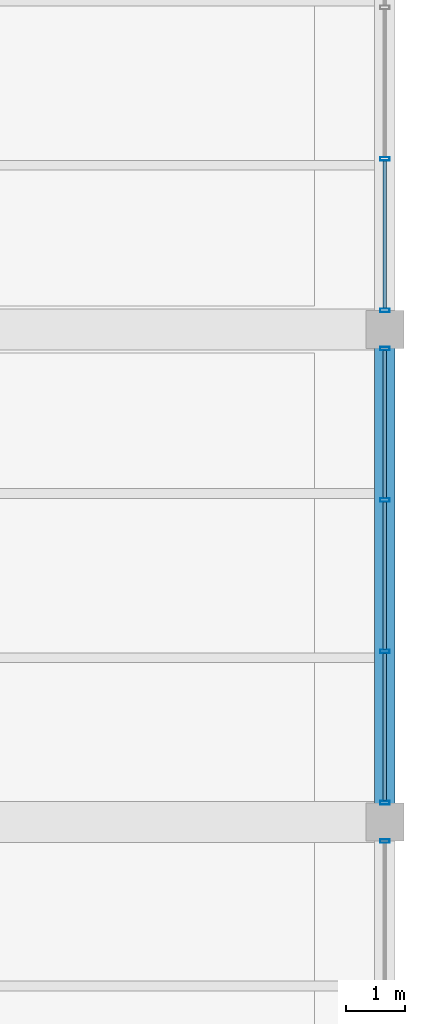
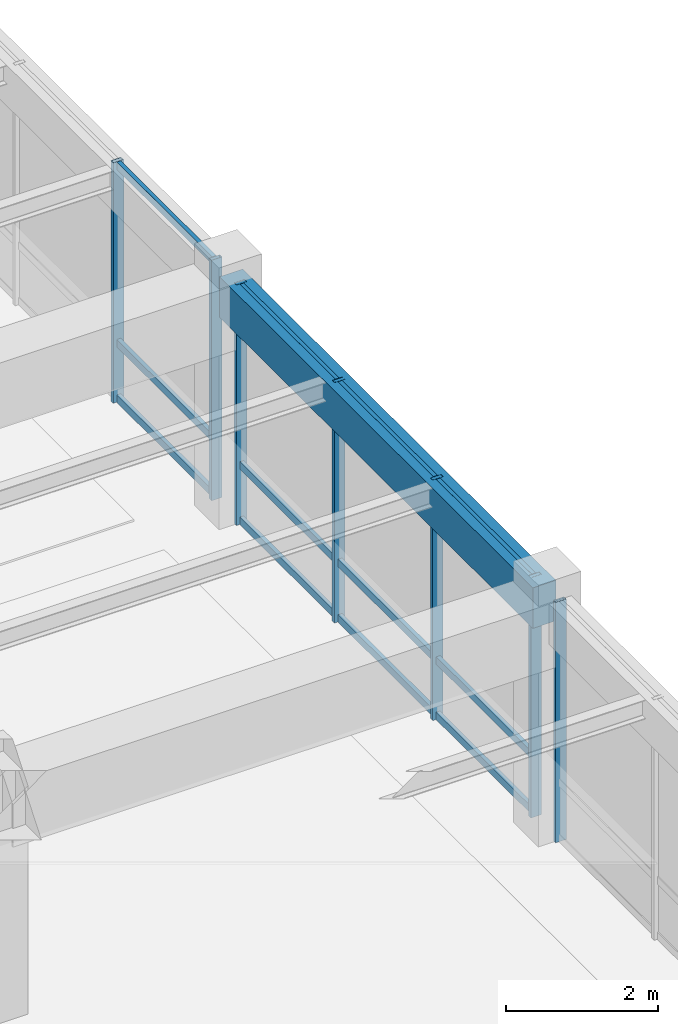
# One storey, part 96 of 138: 19 members, 1 beam, 3 elements without a shape of their own.
"""IFC4 building model written with IfcOpenShell, lengths in metres."""

import ifcopenshell
import ifcopenshell.guid

model = None  # the IFC model being written
_history = None  # IfcOwnerHistory: only IFC2X3 demands one
_inside = {}  # id of a spatial element -> (the spatial element, [elements in it])
_under = {}  # id of a project, library or spatial element -> (it, [spatial elements below it])
_declared = {}  # id of a project -> (the project, [libraries it declares])
_typed = {}  # id of a type object -> (the type object, [elements of that type])
_made_of = {}  # id of a material, layer set ... -> (it, [elements and type objects made of it])


def new_model(schema):
    """Start an empty IFC model of exactly this schema.

    Asked for "IFC4X3", IfcOpenShell would pick the latest addendum, in which some entities
    have other attributes; the version numbers below select the first issue.
    IFC2X3 requires an IfcOwnerHistory on every rooted entity: one is made here for all.
    """
    global model, _history
    if schema == "IFC4X3":
        model = ifcopenshell.file(schema_version=(4, 3, 0, 0))
    else:
        model = ifcopenshell.file(schema=schema)
    _inside.clear()
    _under.clear()
    _declared.clear()
    _typed.clear()
    _made_of.clear()
    _history = None
    if model.schema == "IFC2X3":
        org = make("IfcOrganization", Name="unknown")
        user = make(
            "IfcPersonAndOrganization",
            ThePerson=make("IfcPerson", FamilyName="unknown"),
            TheOrganization=org,
        )
        app = make(
            "IfcApplication",
            ApplicationDeveloper=org,
            Version="unknown",
            ApplicationFullName="unknown",
            ApplicationIdentifier="unknown",
        )
        _history = make(
            "IfcOwnerHistory",
            OwningUser=user,
            OwningApplication=app,
            ChangeAction="ADDED",
            CreationDate=0,
        )
    return model


def make(cls, **values):
    """One entity of the class cls with the attributes given. An attribute that is None is left unset."""
    return model.create_entity(
        cls, **{name: value for name, value in values.items() if value is not None}
    )


def rooted(cls, **values):
    """An entity with a GlobalId (a new one), such as an element, a storey or a relation."""
    return make(cls, GlobalId=ifcopenshell.guid.new(), OwnerHistory=_history, **values)


def si_unit(unit_type, name, prefix=None):
    """IfcSIUnit, for example si_unit("LENGTHUNIT", "METRE", prefix="MILLI")."""
    return make("IfcSIUnit", UnitType=unit_type, Prefix=prefix, Name=name)


def assignment(units):
    """IfcUnitAssignment: the units of a project."""
    return None if units is None else make("IfcUnitAssignment", Units=units)


def point(xyz):
    """IfcCartesianPoint."""
    return None if xyz is None else make("IfcCartesianPoint", Coordinates=xyz)


def direction(xyz):
    """IfcDirection."""
    return None if xyz is None else make("IfcDirection", DirectionRatios=xyz)


def frame(location, z_axis=None, x_axis=None):
    """IfcAxis2Placement3D, a coordinate frame: its origin and axes. An axis left out is left unset."""
    return make(
        "IfcAxis2Placement3D",
        Location=point(location),
        Axis=direction(z_axis),
        RefDirection=direction(x_axis),
    )


def frame_2d(location, x_axis=None):
    """IfcAxis2Placement2D, a coordinate frame in the plane: its origin and x axis."""
    return make(
        "IfcAxis2Placement2D", Location=point(location), RefDirection=direction(x_axis)
    )


def origin():
    """The frame at (0, 0, 0) with its axes left unset."""
    return frame((0.0, 0.0, 0.0))


def origin_2d():
    """The frame at (0, 0) in the plane with its x axis left unset."""
    return frame_2d((0.0, 0.0))


def place(relative_to, where):
    """IfcLocalPlacement: puts the frame where relative to a parent placement (None: the world)."""
    return make(
        "IfcLocalPlacement", PlacementRelTo=relative_to, RelativePlacement=where
    )


def context(
    kind, dimensions, precision=None, world=None, true_north=None, identifier=None
):
    """IfcGeometricRepresentationContext, for example the 3D "Model" context."""
    return make(
        "IfcGeometricRepresentationContext",
        ContextIdentifier=identifier,
        ContextType=kind,
        CoordinateSpaceDimension=dimensions,
        Precision=precision,
        WorldCoordinateSystem=world,
        TrueNorth=true_north,
    )


def subcontext(parent, identifier, kind, view, scale=None):
    """IfcGeometricRepresentationSubContext, for example "Body" below "Model"."""
    return make(
        "IfcGeometricRepresentationSubContext",
        ContextIdentifier=identifier,
        ContextType=kind,
        ParentContext=parent,
        TargetScale=scale,
        TargetView=view,
    )


def project(units=None, contexts=None):
    """IfcProject with its units and contexts."""
    return rooted(
        "IfcProject",
        Name="project",
        RepresentationContexts=contexts,
        UnitsInContext=assignment(units),
    )


def spatial(cls, under=None, at=None, **own):
    """A site, building, storey or space (cls), placed at a placement, below another one or the project."""
    s = rooted(cls, ObjectPlacement=at, **own)
    if under is not None:
        _under.setdefault(under.id(), (under, []))[1].append(s)
    return s


def profile(cls, at=None, kind="AREA", **sizes):
    """A parametric profile (cls). Its sizes go by their IFC names, for example OverallWidth=200.0."""
    return make(cls, ProfileType=kind, Position=at, **sizes)


def rectangle(**sizes):
    """IfcRectangleProfileDef."""
    return profile("IfcRectangleProfileDef", **sizes)


def hollow_rectangle(**sizes):
    """IfcRectangleHollowProfileDef."""
    return profile("IfcRectangleHollowProfileDef", **sizes)


def extrude(swept, where, along, depth):
    """IfcExtrudedAreaSolid: the profile swept, set in the frame where, extruded along a direction by depth."""
    return make(
        "IfcExtrudedAreaSolid",
        SweptArea=swept,
        Position=where,
        ExtrudedDirection=direction(along),
        Depth=depth,
    )


def shape(context_of_items, identifier, shape_type, items):
    """IfcShapeRepresentation: the items that make up one representation, for example the "Body"."""
    return make(
        "IfcShapeRepresentation",
        ContextOfItems=context_of_items,
        RepresentationIdentifier=identifier,
        RepresentationType=shape_type,
        Items=items,
    )


def material(Name=None, Category=None):
    """IfcMaterial."""
    return make("IfcMaterial", Name=Name, Category=Category)


def material_profile(
    of_material, cross_section, Name=None, Category=None, Priority=None
):
    """IfcMaterialProfile: a cross section and its material."""
    return make(
        "IfcMaterialProfile",
        Name=Name,
        Material=of_material,
        Profile=cross_section,
        Priority=Priority,
        Category=Category,
    )


def profile_set(profiles, Name=None, composite=None):
    """IfcMaterialProfileSet."""
    return make(
        "IfcMaterialProfileSet",
        Name=Name,
        MaterialProfiles=profiles,
        CompositeProfile=composite,
    )


def made_of(thing, what):
    """Note that an element or type object is made of a material, layer set ...; save() writes the relation."""
    if what is not None:
        _made_of.setdefault(what.id(), (what, []))[1].append(thing)
    return thing


def type_object(cls, material=None, **own):
    """A type object (cls), such as IfcWallType, which elements share."""
    return made_of(rooted(cls, **own), material)


def element(
    cls,
    number,
    at=None,
    inside=None,
    cuts=None,
    type_object=None,
    material=None,
    context=None,
    identifier="Body",
    shape_type=None,
    held_by="IfcProductDefinitionShape",
    body=None,
    shapes=None,
    **own,
):
    """One element of the class cls, such as IfcWall. Its Tag is "e" and its number.

    at: its placement. inside: the storey or other place that contains it. cuts: it is an
    opening in that element (IfcRelVoidsElement). A single representation is given by context,
    identifier, shape_type and body (its items); several are given by shapes. held_by: the class
    of the entity that holds the representations. save() writes the other relations.
    """
    e = rooted(cls, Tag="e%d" % number, ObjectPlacement=at, **own)
    if body is not None:
        shapes = [shape(context, identifier, shape_type, body)]
    if shapes is not None:
        e.Representation = make(held_by, Representations=shapes)
    if inside is not None:
        _inside.setdefault(inside.id(), (inside, []))[1].append(e)
    if cuts is not None:
        rooted(
            "IfcRelVoidsElement", RelatingBuildingElement=cuts, RelatedOpeningElement=e
        )
    if type_object is not None:
        _typed.setdefault(type_object.id(), (type_object, []))[1].append(e)
    return made_of(e, material)


def aggregate(whole, parts):
    """IfcRelAggregates: a whole, such as a stair, and the parts it consists of."""
    return rooted("IfcRelAggregates", RelatingObject=whole, RelatedObjects=parts)


def save(model, path):
    """Write the relations noted so far, then the file.

    IfcRelAggregates (storeys below a building ...), IfcRelContainedInSpatialStructure (elements
    in a storey), IfcRelDefinesByType, IfcRelAssociatesMaterial and IfcRelDeclares: one each for
    every whole, place, type object, material and project.
    """
    for whole, parts in _under.values():
        aggregate(whole, parts)
    for where, things in _inside.values():
        rooted(
            "IfcRelContainedInSpatialStructure",
            RelatedElements=things,
            RelatingStructure=where,
        )
    for kind, things in _typed.values():
        rooted("IfcRelDefinesByType", RelatedObjects=things, RelatingType=kind)
    for what, things in _made_of.values():
        rooted("IfcRelAssociatesMaterial", RelatedObjects=things, RelatingMaterial=what)
    for by, libraries in _declared.values():
        rooted("IfcRelDeclares", RelatingContext=by, RelatedDefinitions=libraries)
    model.write(path)


model = new_model("IFC4")

# Units and contexts
model_context = context("Model", 3, precision=1e-05, world=origin(), true_north=direction((0.0, 1.0)))
body_context = subcontext(model_context, "Body", "Model", "MODEL_VIEW")
ifc_project = project(units=[si_unit("LENGTHUNIT", "METRE"), si_unit("AREAUNIT", "SQUARE_METRE"), si_unit("VOLUMEUNIT", "CUBIC_METRE"), si_unit("PLANEANGLEUNIT", "RADIAN"), si_unit("MASSUNIT", "GRAM", prefix="KILO"), si_unit("THERMODYNAMICTEMPERATUREUNIT", "KELVIN"), si_unit("POWERUNIT", "WATT")], contexts=[model_context])

# Site, building, storey
site_placement = place(None, origin())
site = spatial("IfcSite", under=ifc_project, at=site_placement, CompositionType="ELEMENT")
building_placement = place(site_placement, origin())
building = spatial("IfcBuilding", under=site, at=building_placement, Name="Darbajah Civic Hall", CompositionType="ELEMENT")
storey_placement = place(building_placement, frame((0.0, 0.0, 9.60009765625)))
storey = spatial("IfcBuildingStorey", under=building, at=storey_placement, Name="L02", CompositionType="ELEMENT", Elevation=9.60009765625)

# Curtain wall, member
ifc_material_1 = material(Name="Anodised Bronze Aluminium and Low-E Glazing", Category="aluminium")
curtain_wall_type = type_object("IfcCurtainWallType", Name="Unitised Curtain Wall CW-97 7700x3850", PredefinedType="USERDEFINED", material=ifc_material_1)
curtain_wall_1_placement = place(storey_placement, origin())
curtain_wall_1 = element("IfcCurtainWall", 1, at=curtain_wall_1_placement, inside=storey, type_object=curtain_wall_type, Name="L02 unitised curtain wall CW-V4-L02-S1-B2", ObjectType="UNITISED CURTAIN WALL", PredefinedType="USERDEFINED")
ifc_material_2 = material(Name="Anodised Bronze Aluminium", Category="aluminium")
ifc_material_profile_1 = material_profile(ifc_material_2, hollow_rectangle(XDim=0.06005859375, YDim=0.159912109375, WallThickness=0.00341796875, at=origin_2d()), Name="ALU MULLION 60x160")
ifc_profile_set_1 = profile_set([ifc_material_profile_1], Name="Anodised Bronze Aluminium")
member_type_1 = type_object("IfcMemberType", Name="ALU MULLION 60x160", PredefinedType="MULLION", material=ifc_profile_set_1)
member_1_placement = place(storey_placement, frame((178.199951171875, 81.27294921875, 0.0), z_axis=(0.0, 0.0, 1.0), x_axis=(0.0, 1.0, 0.0)))
member_1 = element("IfcMember", 2, at=member_1_placement, type_object=member_type_1, Name="CW-V4-L02-S1-B2 mullion 4", PredefinedType="MULLION", context=body_context, shape_type="SweptSolid", body=[
    extrude(hollow_rectangle(XDim=0.06005859375, YDim=0.159912109375, WallThickness=0.00341796875, at=origin_2d()), origin(), (0.0, 0.0, 1.0), 3.85986328125),
])
aggregate(curtain_wall_1, [member_1])

# Curtain wall, members
curtain_wall_2_placement = place(storey_placement, origin())
curtain_wall_2 = element("IfcCurtainWall", 3, at=curtain_wall_2_placement, inside=storey, type_object=curtain_wall_type, Name="L02 unitised curtain wall CW-V4-L02-S1-B3", ObjectType="UNITISED CURTAIN WALL", PredefinedType="USERDEFINED")
member_2_placement = place(storey_placement, frame((178.199951171875, 81.927001953125, 0.0), z_axis=(0.0, 0.0, 1.0), x_axis=(0.0, 1.0, 0.0)))
member_2 = element("IfcMember", 4, at=member_2_placement, type_object=member_type_1, Name="CW-V4-L02-S1-B3 mullion 1", PredefinedType="MULLION", context=body_context, shape_type="SweptSolid", body=[
    extrude(hollow_rectangle(XDim=0.06005859375, YDim=0.159912109375, WallThickness=0.00341796875, at=origin_2d()), origin(), (0.0, 0.0, 1.0), 3.85986328125),
])
member_3_placement = place(storey_placement, frame((178.199951171875, 84.509033203125, 0.0), z_axis=(0.0, 0.0, 1.0), x_axis=(0.0, 1.0, 0.0)))
member_3 = element("IfcMember", 5, at=member_3_placement, type_object=member_type_1, Name="CW-V4-L02-S1-B3 mullion 2", PredefinedType="MULLION", context=body_context, shape_type="SweptSolid", body=[
    extrude(hollow_rectangle(XDim=0.06005859375, YDim=0.159912109375, WallThickness=0.00341796875, at=origin_2d()), origin(), (0.0, 0.0, 1.0), 3.85986328125),
])
member_4_placement = place(storey_placement, frame((178.199951171875, 87.091064453125, 0.0), z_axis=(0.0, 0.0, 1.0), x_axis=(0.0, 1.0, 0.0)))
member_4 = element("IfcMember", 6, at=member_4_placement, type_object=member_type_1, Name="CW-V4-L02-S1-B3 mullion 3", PredefinedType="MULLION", context=body_context, shape_type="SweptSolid", body=[
    extrude(hollow_rectangle(XDim=0.06005859375, YDim=0.159912109375, WallThickness=0.00341796875, at=origin_2d()), origin(), (0.0, 0.0, 1.0), 3.85986328125),
])
member_5_placement = place(storey_placement, frame((178.199951171875, 89.673095703125, 0.0), z_axis=(0.0, 0.0, 1.0), x_axis=(0.0, 1.0, 0.0)))
member_5 = element("IfcMember", 7, at=member_5_placement, type_object=member_type_1, Name="CW-V4-L02-S1-B3 mullion 4", PredefinedType="MULLION", context=body_context, shape_type="SweptSolid", body=[
    extrude(hollow_rectangle(XDim=0.06005859375, YDim=0.159912109375, WallThickness=0.00341796875, at=origin_2d()), origin(), (0.0, 0.0, 1.0), 3.85986328125),
])

curtain_wall_3_placement = place(storey_placement, origin())
curtain_wall_3 = element("IfcCurtainWall", 8, at=curtain_wall_3_placement, inside=storey, type_object=curtain_wall_type, Name="L02 unitised curtain wall CW-V4-L02-S1-B4", ObjectType="UNITISED CURTAIN WALL", PredefinedType="USERDEFINED")
member_6_placement = place(storey_placement, frame((178.199951171875, 90.326904296875, 0.0), z_axis=(0.0, 0.0, 1.0), x_axis=(0.0, 1.0, 0.0)))
member_6 = element("IfcMember", 9, at=member_6_placement, type_object=member_type_1, Name="CW-V4-L02-S1-B4 mullion 1", PredefinedType="MULLION", context=body_context, shape_type="SweptSolid", body=[
    extrude(hollow_rectangle(XDim=0.06005859375, YDim=0.159912109375, WallThickness=0.00341796875, at=origin_2d()), origin(), (0.0, 0.0, 1.0), 3.85986328125),
])
member_7_placement = place(storey_placement, frame((178.199951171875, 92.908935546875, 0.0), z_axis=(0.0, 0.0, 1.0), x_axis=(0.0, 1.0, 0.0)))
member_7 = element("IfcMember", 10, at=member_7_placement, type_object=member_type_1, Name="CW-V4-L02-S1-B4 mullion 2", PredefinedType="MULLION", context=body_context, shape_type="SweptSolid", body=[
    extrude(hollow_rectangle(XDim=0.06005859375, YDim=0.159912109375, WallThickness=0.00341796875, at=origin_2d()), origin(), (0.0, 0.0, 1.0), 3.85986328125),
])

# Member
ifc_material_profile_2 = material_profile(ifc_material_2, hollow_rectangle(XDim=0.06005859375, YDim=0.1201171875, WallThickness=0.003173828125, at=origin_2d()), Name="ALU TRANSOM 60x120")
ifc_profile_set_2 = profile_set([ifc_material_profile_2], Name="Anodised Bronze Aluminium")
member_type_2 = type_object("IfcMemberType", Name="ALU TRANSOM 60x120", PredefinedType="USERDEFINED", material=ifc_profile_set_2)
member_8_placement = place(storey_placement, frame((178.199951171875, 81.9619140625, 0.059814453125), z_axis=(0.0, 1.0, 0.0), x_axis=(-1.0, 0.0, 0.0)))
member_8 = element("IfcMember", 11, at=member_8_placement, type_object=member_type_2, Name="CW-V4-L02-S1-B3 transom 1.1", ObjectType="TRANSOM", PredefinedType="USERDEFINED", context=body_context, shape_type="SweptSolid", body=[
    extrude(hollow_rectangle(XDim=0.06005859375, YDim=0.1201171875, WallThickness=0.003173828125, at=origin_2d()), origin(), (0.0, 0.0, 1.0), 2.51220703125),
])

member_9_placement = place(storey_placement, frame((178.199951171875, 81.9619140625, 0.949951171875), z_axis=(0.0, 1.0, 0.0), x_axis=(-1.0, 0.0, 0.0)))
member_9 = element("IfcMember", 12, at=member_9_placement, type_object=member_type_2, Name="CW-V4-L02-S1-B3 transom 1.2", ObjectType="TRANSOM", PredefinedType="USERDEFINED", context=body_context, shape_type="SweptSolid", body=[
    extrude(hollow_rectangle(XDim=0.06005859375, YDim=0.1201171875, WallThickness=0.003173828125, at=origin_2d()), origin(), (0.0, 0.0, 1.0), 2.51220703125),
])

member_10_placement = place(storey_placement, frame((178.199951171875, 81.9619140625, 3.7998046875), z_axis=(0.0, 1.0, 0.0), x_axis=(-1.0, 0.0, 0.0)))
member_10 = element("IfcMember", 13, at=member_10_placement, type_object=member_type_2, Name="CW-V4-L02-S1-B3 transom 1.3", ObjectType="TRANSOM", PredefinedType="USERDEFINED", context=body_context, shape_type="SweptSolid", body=[
    extrude(hollow_rectangle(XDim=0.06005859375, YDim=0.1201171875, WallThickness=0.003173828125, at=origin_2d()), origin(), (0.0, 0.0, 1.0), 2.51220703125),
])

member_11_placement = place(storey_placement, frame((178.199951171875, 84.5439453125, 0.059814453125), z_axis=(0.0, 1.0, 0.0), x_axis=(-1.0, 0.0, 0.0)))
member_11 = element("IfcMember", 14, at=member_11_placement, type_object=member_type_2, Name="CW-V4-L02-S1-B3 transom 2.1", ObjectType="TRANSOM", PredefinedType="USERDEFINED", context=body_context, shape_type="SweptSolid", body=[
    extrude(hollow_rectangle(XDim=0.06005859375, YDim=0.1201171875, WallThickness=0.003173828125, at=origin_2d()), origin(), (0.0, 0.0, 1.0), 2.511962890625),
])

member_12_placement = place(storey_placement, frame((178.199951171875, 84.5439453125, 0.949951171875), z_axis=(0.0, 1.0, 0.0), x_axis=(-1.0, 0.0, 0.0)))
member_12 = element("IfcMember", 15, at=member_12_placement, type_object=member_type_2, Name="CW-V4-L02-S1-B3 transom 2.2", ObjectType="TRANSOM", PredefinedType="USERDEFINED", context=body_context, shape_type="SweptSolid", body=[
    extrude(hollow_rectangle(XDim=0.06005859375, YDim=0.1201171875, WallThickness=0.003173828125, at=origin_2d()), origin(), (0.0, 0.0, 1.0), 2.511962890625),
])

member_13_placement = place(storey_placement, frame((178.199951171875, 84.5439453125, 3.7998046875), z_axis=(0.0, 1.0, 0.0), x_axis=(-1.0, 0.0, 0.0)))
member_13 = element("IfcMember", 16, at=member_13_placement, type_object=member_type_2, Name="CW-V4-L02-S1-B3 transom 2.3", ObjectType="TRANSOM", PredefinedType="USERDEFINED", context=body_context, shape_type="SweptSolid", body=[
    extrude(hollow_rectangle(XDim=0.06005859375, YDim=0.1201171875, WallThickness=0.003173828125, at=origin_2d()), origin(), (0.0, 0.0, 1.0), 2.511962890625),
])

member_14_placement = place(storey_placement, frame((178.199951171875, 87.1259765625, 0.059814453125), z_axis=(0.0, 1.0, 0.0), x_axis=(-1.0, 0.0, 0.0)))
member_14 = element("IfcMember", 17, at=member_14_placement, type_object=member_type_2, Name="CW-V4-L02-S1-B3 transom 3.1", ObjectType="TRANSOM", PredefinedType="USERDEFINED", context=body_context, shape_type="SweptSolid", body=[
    extrude(hollow_rectangle(XDim=0.06005859375, YDim=0.1201171875, WallThickness=0.003173828125, at=origin_2d()), origin(), (0.0, 0.0, 1.0), 2.511962890625),
])

member_15_placement = place(storey_placement, frame((178.199951171875, 87.1259765625, 0.949951171875), z_axis=(0.0, 1.0, 0.0), x_axis=(-1.0, 0.0, 0.0)))
member_15 = element("IfcMember", 18, at=member_15_placement, type_object=member_type_2, Name="CW-V4-L02-S1-B3 transom 3.2", ObjectType="TRANSOM", PredefinedType="USERDEFINED", context=body_context, shape_type="SweptSolid", body=[
    extrude(hollow_rectangle(XDim=0.06005859375, YDim=0.1201171875, WallThickness=0.003173828125, at=origin_2d()), origin(), (0.0, 0.0, 1.0), 2.511962890625),
])

member_16_placement = place(storey_placement, frame((178.199951171875, 87.1259765625, 3.7998046875), z_axis=(0.0, 1.0, 0.0), x_axis=(-1.0, 0.0, 0.0)))
member_16 = element("IfcMember", 19, at=member_16_placement, type_object=member_type_2, Name="CW-V4-L02-S1-B3 transom 3.3", ObjectType="TRANSOM", PredefinedType="USERDEFINED", context=body_context, shape_type="SweptSolid", body=[
    extrude(hollow_rectangle(XDim=0.06005859375, YDim=0.1201171875, WallThickness=0.003173828125, at=origin_2d()), origin(), (0.0, 0.0, 1.0), 2.511962890625),
])

aggregate(curtain_wall_2, [member_2, member_3, member_4, member_5, member_8, member_9, member_10, member_11, member_12, member_13, member_14, member_15, member_16])

member_17_placement = place(storey_placement, frame((178.199951171875, 90.362060546875, 0.059814453125), z_axis=(0.0, 1.0, 0.0), x_axis=(-1.0, 0.0, 0.0)))
member_17 = element("IfcMember", 20, at=member_17_placement, type_object=member_type_2, Name="CW-V4-L02-S1-B4 transom 1.1", ObjectType="TRANSOM", PredefinedType="USERDEFINED", context=body_context, shape_type="SweptSolid", body=[
    extrude(hollow_rectangle(XDim=0.06005859375, YDim=0.1201171875, WallThickness=0.003173828125, at=origin_2d()), origin(), (0.0, 0.0, 1.0), 2.511962890625),
])

member_18_placement = place(storey_placement, frame((178.199951171875, 90.362060546875, 0.949951171875), z_axis=(0.0, 1.0, 0.0), x_axis=(-1.0, 0.0, 0.0)))
member_18 = element("IfcMember", 21, at=member_18_placement, type_object=member_type_2, Name="CW-V4-L02-S1-B4 transom 1.2", ObjectType="TRANSOM", PredefinedType="USERDEFINED", context=body_context, shape_type="SweptSolid", body=[
    extrude(hollow_rectangle(XDim=0.06005859375, YDim=0.1201171875, WallThickness=0.003173828125, at=origin_2d()), origin(), (0.0, 0.0, 1.0), 2.511962890625),
])

member_19_placement = place(storey_placement, frame((178.199951171875, 90.362060546875, 3.7998046875), z_axis=(0.0, 1.0, 0.0), x_axis=(-1.0, 0.0, 0.0)))
member_19 = element("IfcMember", 22, at=member_19_placement, type_object=member_type_2, Name="CW-V4-L02-S1-B4 transom 1.3", ObjectType="TRANSOM", PredefinedType="USERDEFINED", context=body_context, shape_type="SweptSolid", body=[
    extrude(hollow_rectangle(XDim=0.06005859375, YDim=0.1201171875, WallThickness=0.003173828125, at=origin_2d()), origin(), (0.0, 0.0, 1.0), 2.511962890625),
])

aggregate(curtain_wall_3, [member_6, member_7, member_17, member_18, member_19])

# Beam
ifc_material_3 = material(Name="Concrete C45/55", Category="concrete")
ifc_material_profile_3 = material_profile(ifc_material_3, rectangle(XDim=0.35009765625, YDim=0.64990234375, at=origin_2d()), Name="RC SPANDREL 350x650")
ifc_profile_set_3 = profile_set([ifc_material_profile_3], Name="Concrete C45/55")
beam_type = type_object("IfcBeamType", Name="RC SPANDREL 350x650", PredefinedType="SPANDREL", material=ifc_profile_set_3)
beam_placement = place(storey_placement, frame((178.199951171875, 81.679931640625, 3.534912109375), z_axis=(0.0, 1.0, 0.0), x_axis=(-1.0, 0.0, 0.0)))
element("IfcBeam", 23, at=beam_placement, inside=storey, type_object=beam_type, Name="L02 beam SP-3565", PredefinedType="SPANDREL", context=body_context, shape_type="SweptSolid", body=[
    extrude(rectangle(XDim=0.35009765625, YDim=0.64990234375, at=origin_2d()), origin(), (0.0, 0.0, 1.0), 8.239990234375),
])

save(model, "model.ifc")
